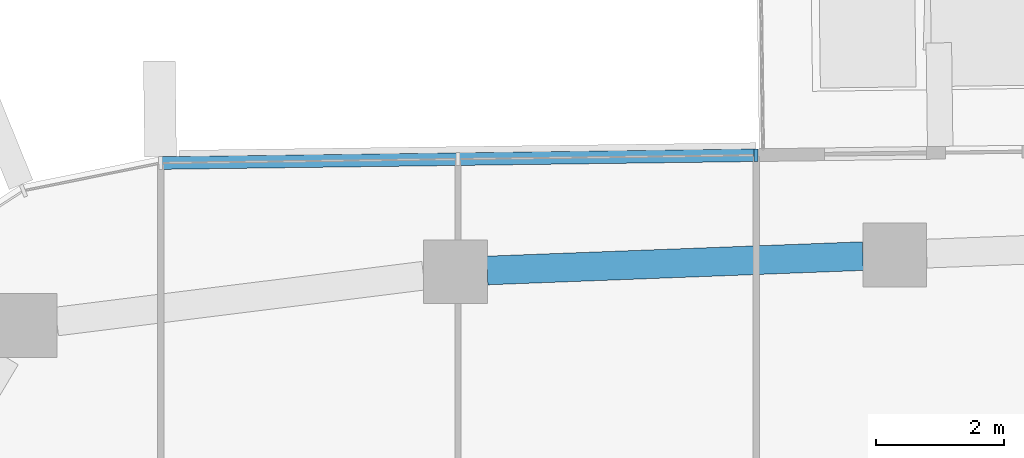
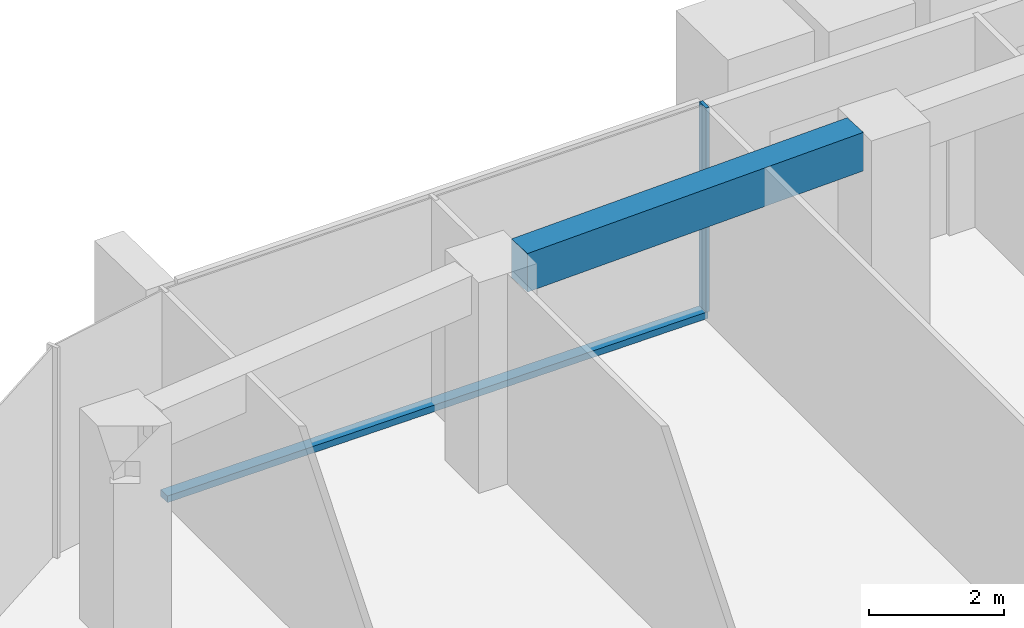
# One storey, part 7 of 23: 2 members, 1 beam, 1 element without a shape of its own.
"""IFC4 building model written with IfcOpenShell, lengths in metres."""

from ifc_helpers import new_model, si_unit, direction, frame, origin, origin_2d, place, context, subcontext, project, spatial, rectangle, extrude, material, layer, layer_set, material_profile, profile_set, type_object, element, aggregate, save


model = new_model("IFC4")

# Units and contexts
model_context = context("Model", 3, precision=1e-05, world=origin(), true_north=direction((0.0, 1.0)))
body_context = subcontext(model_context, "Body", "Model", "MODEL_VIEW")
ifc_project = project(units=[si_unit("LENGTHUNIT", "METRE"), si_unit("AREAUNIT", "SQUARE_METRE"), si_unit("VOLUMEUNIT", "CUBIC_METRE"), si_unit("PLANEANGLEUNIT", "RADIAN"), si_unit("MASSUNIT", "GRAM", prefix="KILO")], contexts=[model_context])

# Site, building, storey
site_placement = place(None, origin())
site = spatial("IfcSite", under=ifc_project, at=site_placement, CompositionType="ELEMENT")
building_placement = place(site_placement, origin())
building = spatial("IfcBuilding", under=site, at=building_placement, Name="Dongbaek Canopy Tower", CompositionType="ELEMENT")
storey_placement = place(building_placement, frame((0.0, 0.0, 340.39990234375)))
storey = spatial("IfcBuildingStorey", under=building, at=storey_placement, Name="L73", CompositionType="ELEMENT", Elevation=340.39990234375)

# Curtain wall, members
ifc_material_1 = material(Name="Aluminium 6063-T6 pale anodised", Category="aluminium")
ifc_layer = layer(ifc_material_1, 0.199951171875)
ifc_layer_set = layer_set([ifc_layer], Name="CW-1 unitised tower curtain wall")
curtain_wall_type = type_object("IfcCurtainWallType", Name="CW-1 unitised tower curtain wall", PredefinedType="NOTDEFINED", material=ifc_layer_set)
curtain_wall_placement = place(storey_placement, origin())
curtain_wall = element("IfcCurtainWall", 1, at=curtain_wall_placement, inside=storey, type_object=curtain_wall_type, Name="CW-1 curtain wall F1.1", PredefinedType="NOTDEFINED")
ifc_material_2 = material(Name="Aluminium 6063-T6 pale anodised", Category="aluminium")
ifc_material_profile_1 = material_profile(ifc_material_2, rectangle(XDim=0.199951171875, YDim=0.06005859375, at=origin_2d()), Name="CW-1 mullion 60 x 200")
ifc_profile_set_1 = profile_set([ifc_material_profile_1], Name="Aluminium 6063-T6 pale anodised")
member_type_1 = type_object("IfcMemberType", Name="CW-1 mullion 60 x 200", PredefinedType="MULLION", material=ifc_profile_set_1)
member_1_placement = place(storey_placement, frame((-3.593505859375, 28.991943359375, 0.1201171875), z_axis=(0.0, 0.0, 1.0), x_axis=(-0.013165315653, 0.999913333476, 0.0)))
member_1 = element("IfcMember", 2, at=member_1_placement, type_object=member_type_1, Name="CW-1 mullion F1.1.1", PredefinedType="MULLION", context=body_context, shape_type="SweptSolid", body=[
    extrude(rectangle(XDim=0.199951171875, YDim=0.06005859375, at=origin_2d()), origin(), (0.0, 0.0, 1.0), 3.699951171875),
])
ifc_material_3 = material(Name="Aluminium 6063-T6 pale anodised", Category="aluminium")
ifc_material_profile_2 = material_profile(ifc_material_3, rectangle(XDim=0.199951171875, YDim=0.1201171875, at=origin_2d()), Name="CW-1 transom 120 x 200")
ifc_profile_set_2 = profile_set([ifc_material_profile_2], Name="Aluminium 6063-T6 pale anodised")
member_type_2 = type_object("IfcMemberType", Name="CW-1 transom 120 x 200", PredefinedType="USERDEFINED", material=ifc_profile_set_2)
member_2_placement = place(storey_placement, frame((-3.593505859375, 28.991943359375, 0.06005859375), z_axis=(-0.999913210689, -0.013174638141, 0.0), x_axis=(0.013174638141, -0.999913210689, 0.0)))
member_2 = element("IfcMember", 3, at=member_2_placement, type_object=member_type_2, Name="CW-1 transom F1.1.1", ObjectType="TRANSOM", PredefinedType="USERDEFINED", context=body_context, shape_type="SweptSolid", body=[
    extrude(rectangle(XDim=0.199951171875, YDim=0.1201171875, at=origin_2d()), origin(), (0.0, 0.0, 1.0), 9.339599609375),
])
aggregate(curtain_wall, [member_1, member_2])

# Beam
ifc_material_4 = material(Name="Concrete C60", Category="concrete")
ifc_material_profile_3 = material_profile(ifc_material_4, rectangle(XDim=0.449951171875, YDim=0.699951171875, at=origin_2d()), Name="RC EDGE BEAM 450x700 C60")
ifc_profile_set_3 = profile_set([ifc_material_profile_3], Name="Concrete C60")
beam_type = type_object("IfcBeamType", Name="RC EDGE BEAM 450x700 C60", PredefinedType="BEAM", material=ifc_profile_set_3)
beam_placement = place(storey_placement, frame((-7.80908203125, 27.18310546875, 3.47021484375), z_axis=(0.999267644391, 0.038264538061, 0.0), x_axis=(-0.038264538061, 0.999267644391, 0.0)))
element("IfcBeam", 4, at=beam_placement, inside=storey, type_object=beam_type, Name="EDGEBEAM:L73:14", PredefinedType="BEAM", context=body_context, shape_type="SweptSolid", body=[
    extrude(rectangle(XDim=0.449951171875, YDim=0.699951171875, at=origin_2d()), origin(), (0.0, 0.0, 1.0), 5.8955078125),
])

save(model, "model.ifc")
